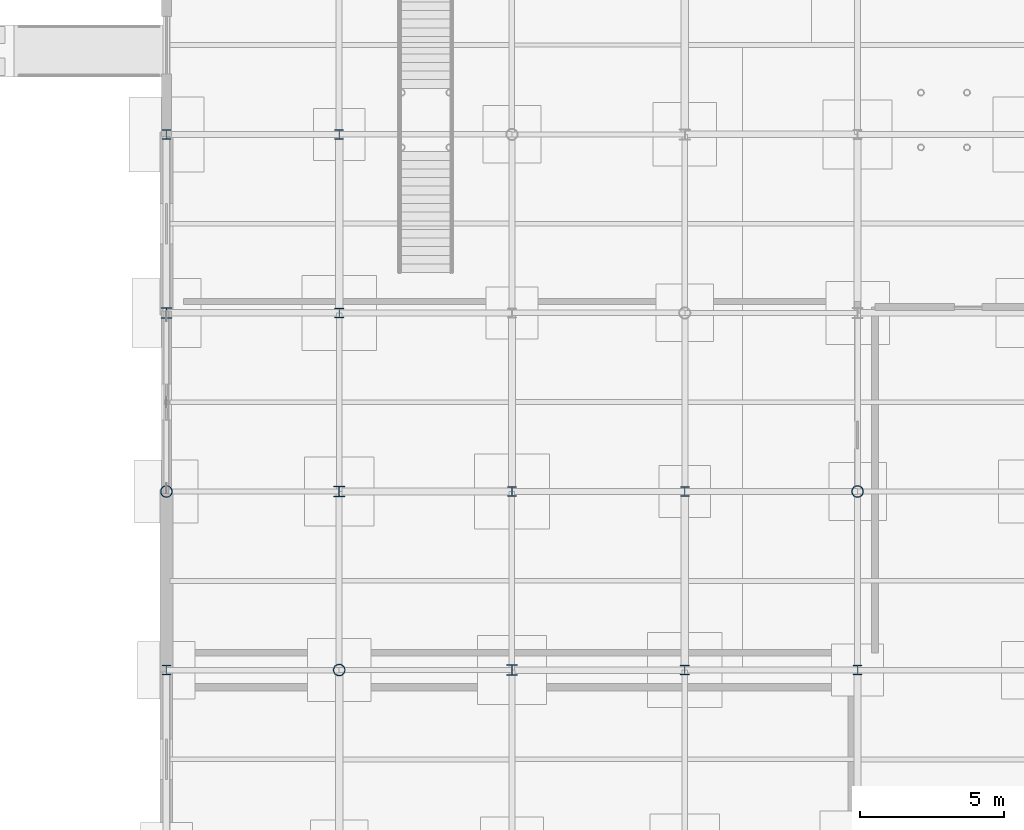
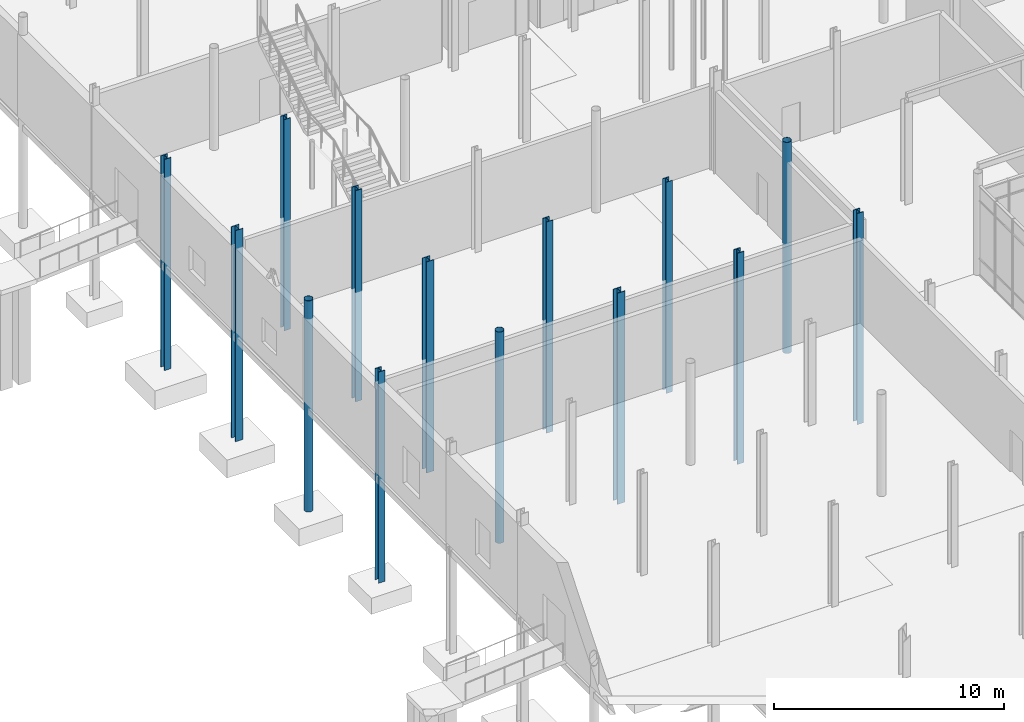
# One storey, part 5 of 98: 14 columns.
"""IFC4 building model written with IfcOpenShell, lengths in metres."""

from ifc_helpers import new_model, si_unit, direction, frame, origin, origin_2d, place, context, subcontext, project, spatial, hollow_circle, i_section, extrude, material, material_profile, profile_set, type_object, element, save


model = new_model("IFC4")

# Units and contexts
model_context = context("Model", 3, precision=1e-05, world=origin(), true_north=direction((0.0, 1.0)))
body_context = subcontext(model_context, "Body", "Model", "MODEL_VIEW")
ifc_project = project(units=[si_unit("LENGTHUNIT", "METRE"), si_unit("AREAUNIT", "SQUARE_METRE"), si_unit("VOLUMEUNIT", "CUBIC_METRE"), si_unit("PLANEANGLEUNIT", "RADIAN"), si_unit("MASSUNIT", "GRAM", prefix="KILO")], contexts=[model_context])

# Site, building, storey
site_placement = place(None, origin())
site = spatial("IfcSite", under=ifc_project, at=site_placement, CompositionType="ELEMENT")
building_placement = place(site_placement, origin())
building = spatial("IfcBuilding", under=site, at=building_placement, Name="Mirzam Square Science Centre", CompositionType="ELEMENT")
storey_placement = place(building_placement, origin())
storey = spatial("IfcBuildingStorey", under=building, at=storey_placement, Name="L00", CompositionType="ELEMENT", Elevation=0.0)

# Columns
ifc_material = material(Name="Steel S355", Category="steel")
ifc_material_profile_1 = material_profile(ifc_material, hollow_circle(Radius=0.203125, WallThickness=0.01611328125, at=origin_2d()), Name="406.4x16.0CHS")
ifc_profile_set_1 = profile_set([ifc_material_profile_1], Name="Steel S355")
column_type_1 = type_object("IfcColumnType", Name="COL-CHS406", PredefinedType="COLUMN", material=ifc_profile_set_1)
for number, where, z_axis, x_axis, name in (
    (1, (0.0, 43.39990234375, -5.800048828125), (0.0, 0.0, 1.0), (1.0, 0.0, 0.0), "L00 column G01-08"),
    (2, (6.0, 37.199951171875, -5.800048828125), (0.0, 0.0, 1.0), (1.0, 0.0, 0.0), "L00 column G02-07"),
    (3, (24.0, 43.39990234375, -5.800048828125), (0.0, 0.0, 1.0), (1.0, 0.0, 0.0), "L00 column G05-08"),
):
    element("IfcColumn", number, at=place(storey_placement, frame(where, z_axis=z_axis, x_axis=x_axis)), inside=storey, type_object=column_type_1, Name=name, PredefinedType="COLUMN", context=body_context, shape_type="SweptSolid", body=[
        extrude(hollow_circle(Radius=0.203125, WallThickness=0.01611328125, at=origin_2d()), origin(), (0.0, 0.0, 1.0), 11.199951171875),
    ])
ifc_material_profile_2 = material_profile(ifc_material, i_section(OverallWidth=0.314453125, OverallDepth=0.33984375, WebThickness=0.01904296875, FlangeThickness=0.031494140625, FilletRadius=0.01513671875, at=origin_2d()), Name="305x305x198UC")
ifc_profile_set_2 = profile_set([ifc_material_profile_2], Name="Steel S355")
column_type_2 = type_object("IfcColumnType", Name="COL-UC305B", PredefinedType="COLUMN", material=ifc_profile_set_2)
for number, where, z_axis, x_axis, name in (
    (4, (0.0, 37.199951171875, -5.800048828125), (0.0, 0.0, 1.0), (1.0, 0.0, 0.0), "L00 column G01-07"),
    (5, (6.0, 55.800048828125, -5.800048828125), (0.0, 0.0, 1.0), (1.0, 0.0, 0.0), "L00 column G02-10"),
    (6, (18.0, 43.39990234375, -5.800048828125), (0.0, 0.0, 1.0), (1.0, 0.0, 0.0), "L00 column G04-08"),
    (7, (24.0, 37.199951171875, -5.800048828125), (0.0, 0.0, 1.0), (1.0, 0.0, 0.0), "L00 column G05-07"),
):
    element("IfcColumn", number, at=place(storey_placement, frame(where, z_axis=z_axis, x_axis=x_axis)), inside=storey, type_object=column_type_2, Name=name, PredefinedType="COLUMN", context=body_context, shape_type="SweptSolid", body=[
        extrude(i_section(OverallWidth=0.314453125, OverallDepth=0.33984375, WebThickness=0.01904296875, FlangeThickness=0.031494140625, FilletRadius=0.01513671875, at=origin_2d()), origin(), (0.0, 0.0, 1.0), 11.199951171875),
    ])
ifc_material_profile_3 = material_profile(ifc_material, i_section(OverallWidth=0.318359375, OverallDepth=0.3525390625, WebThickness=0.02294921875, FlangeThickness=0.03759765625, FilletRadius=0.01513671875, at=origin_2d()), Name="305x305x240UC")
ifc_profile_set_3 = profile_set([ifc_material_profile_3], Name="Steel S355")
column_type_3 = type_object("IfcColumnType", Name="COL-UC305C", PredefinedType="COLUMN", material=ifc_profile_set_3)
for number, where, z_axis, x_axis, name in (
    (8, (0.0, 55.800048828125, -5.800048828125), (0.0, 0.0, 1.0), (1.0, 0.0, 0.0), "L00 column G01-10"),
    (9, (6.0, 49.60009765625, -5.800048828125), (0.0, 0.0, 1.0), (1.0, 0.0, 0.0), "L00 column G02-09"),
    (10, (12.0, 43.39990234375, -5.800048828125), (0.0, 0.0, 1.0), (1.0, 0.0, 0.0), "L00 column G03-08"),
    (11, (18.0, 37.199951171875, -5.800048828125), (0.0, 0.0, 1.0), (1.0, 0.0, 0.0), "L00 column G04-07"),
):
    element("IfcColumn", number, at=place(storey_placement, frame(where, z_axis=z_axis, x_axis=x_axis)), inside=storey, type_object=column_type_3, Name=name, PredefinedType="COLUMN", context=body_context, shape_type="SweptSolid", body=[
        extrude(i_section(OverallWidth=0.318359375, OverallDepth=0.3525390625, WebThickness=0.02294921875, FlangeThickness=0.03759765625, FilletRadius=0.01513671875, at=origin_2d()), origin(), (0.0, 0.0, 1.0), 11.199951171875),
    ])
ifc_material_profile_4 = material_profile(ifc_material, i_section(OverallWidth=0.374755859375, OverallDepth=0.37451171875, WebThickness=0.0166015625, FlangeThickness=0.027099609375, FilletRadius=0.01513671875, at=origin_2d()), Name="356x368x202UC")
ifc_profile_set_4 = profile_set([ifc_material_profile_4], Name="Steel S355")
column_type_4 = type_object("IfcColumnType", Name="COL-UC356A", PredefinedType="COLUMN", material=ifc_profile_set_4)
for number, where, z_axis, x_axis, name in (
    (12, (0.0, 49.60009765625, -5.800048828125), (0.0, 0.0, 1.0), (1.0, 0.0, 0.0), "L00 column G01-09"),
    (13, (6.0, 43.39990234375, -5.800048828125), (0.0, 0.0, 1.0), (1.0, 0.0, 0.0), "L00 column G02-08"),
    (14, (12.0, 37.199951171875, -5.800048828125), (0.0, 0.0, 1.0), (1.0, 0.0, 0.0), "L00 column G03-07"),
):
    element("IfcColumn", number, at=place(storey_placement, frame(where, z_axis=z_axis, x_axis=x_axis)), inside=storey, type_object=column_type_4, Name=name, PredefinedType="COLUMN", context=body_context, shape_type="SweptSolid", body=[
        extrude(i_section(OverallWidth=0.374755859375, OverallDepth=0.37451171875, WebThickness=0.0166015625, FlangeThickness=0.027099609375, FilletRadius=0.01513671875, at=origin_2d()), origin(), (0.0, 0.0, 1.0), 11.199951171875),
    ])

save(model, "model.ifc")
